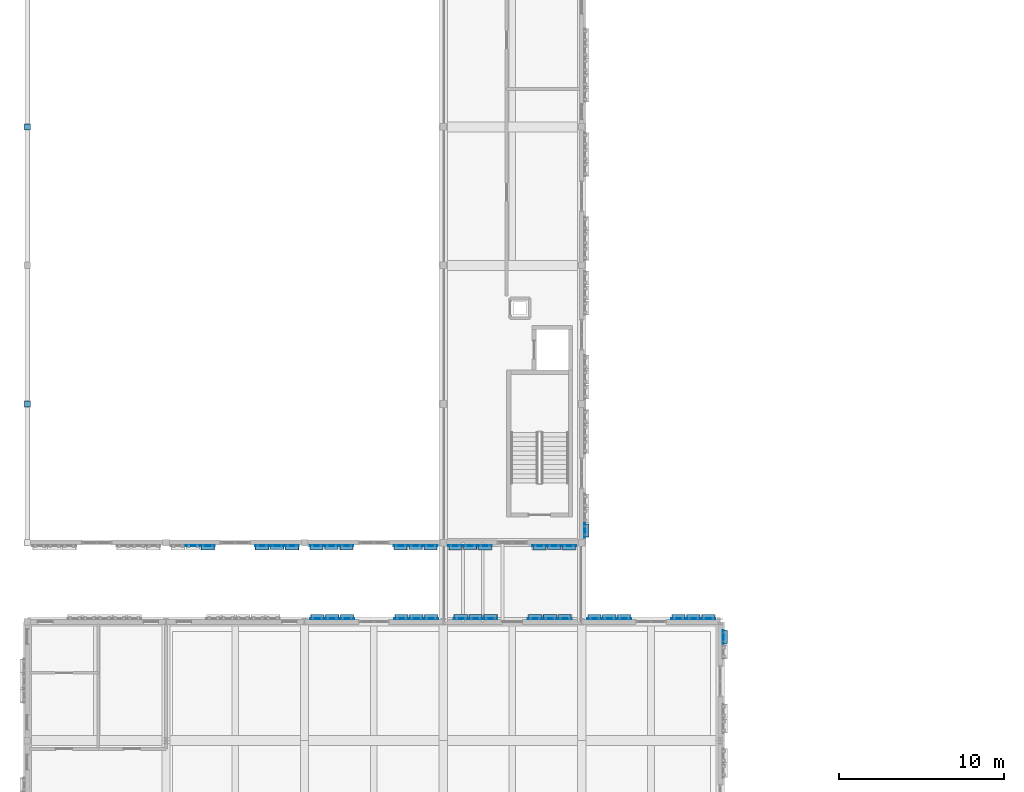
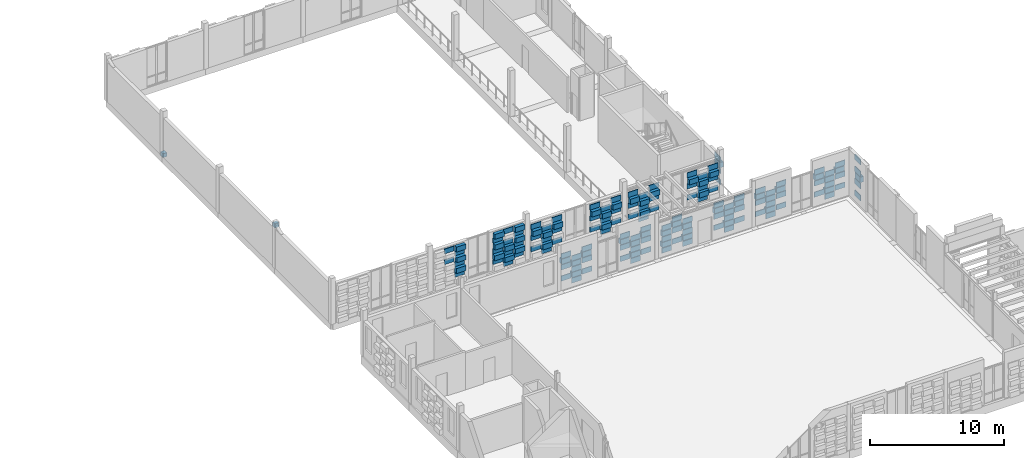
# One storey, part 58 of 99: 168 plates.
"""IFC4 building model written with IfcOpenShell, lengths in metres."""

from ifc_helpers import new_model, si_unit, direction, frame, origin, origin_2d, place, context, subcontext, project, spatial, rectangle, extrude, material, layer, layer_set, type_object, element, save


model = new_model("IFC4")

# Units and contexts
model_context = context("Model", 3, precision=1e-05, world=origin(), true_north=direction((0.0, 1.0)))
body_context = subcontext(model_context, "Body", "Model", "MODEL_VIEW")
ifc_project = project(units=[si_unit("LENGTHUNIT", "METRE"), si_unit("AREAUNIT", "SQUARE_METRE"), si_unit("VOLUMEUNIT", "CUBIC_METRE"), si_unit("PLANEANGLEUNIT", "RADIAN"), si_unit("MASSUNIT", "GRAM", prefix="KILO")], contexts=[model_context])

# Site, building, storey
site_placement = place(None, origin())
site = spatial("IfcSite", under=ifc_project, at=site_placement, CompositionType="ELEMENT")
building_placement = place(site_placement, origin())
building = spatial("IfcBuilding", under=site, at=building_placement, Name="Kahlenmark Community Centre", CompositionType="ELEMENT")
storey_placement = place(building_placement, frame((0.0, 0.0, 5.39990234375)))
storey = spatial("IfcBuildingStorey", under=building, at=storey_placement, Name="L01", CompositionType="ELEMENT", Elevation=5.39990234375)

# Plates
ifc_material_1 = material(Name="Extruded warm terracotta recessed weave tile", Category="masonry")
ifc_layer_1 = layer(ifc_material_1, 0.06005859375)
ifc_layer_set_1 = layer_set([ifc_layer_1], Name="Extruded warm terracotta recessed weave tile")
plate_type_1 = type_object("IfcPlateType", Name="PLT-TC-TC-R10-840X60X450", PredefinedType="SHEET", material=ifc_layer_set_1)
for number, where, z_axis, x_axis, name in (
    (1, (14.030029296875, 42.219970703125, 2.06005859375), (0.0, 0.0, 1.0), (1.0, 0.0, 0.0), "Basketweave terracotta cassette 0538"),
    (2, (14.030029296875, 42.219970703125, 3.0400390625), (0.0, 0.0, 1.0), (1.0, 0.0, 0.0), "Basketweave terracotta cassette 0540"),
    (3, (19.1298828125, 42.219970703125, 0.10009765625), (0.0, 0.0, 1.0), (1.0, 0.0, 0.0), "Basketweave terracotta cassette 0555"),
    (4, (19.1298828125, 42.219970703125, 1.080078125), (0.0, 0.0, 1.0), (1.0, 0.0, 0.0), "Basketweave terracotta cassette 0557"),
    (5, (19.1298828125, 42.219970703125, 2.06005859375), (0.0, 0.0, 1.0), (1.0, 0.0, 0.0), "Basketweave terracotta cassette 0559"),
    (6, (19.1298828125, 42.219970703125, 3.0400390625), (0.0, 0.0, 1.0), (1.0, 0.0, 0.0), "Basketweave terracotta cassette 0561"),
):
    element("IfcPlate", number, at=place(storey_placement, frame(where, z_axis=z_axis, x_axis=x_axis)), inside=storey, type_object=plate_type_1, Name=name, PredefinedType="SHEET", context=body_context, shape_type="SweptSolid", body=[
        extrude(rectangle(XDim=0.840087890625, YDim=0.06005859375, at=origin_2d()), origin(), (0.0, 0.0, 1.0), 0.449951171875),
    ])
ifc_layer_2 = layer(ifc_material_1, 0.06005859375)
ifc_layer_set_2 = layer_set([ifc_layer_2], Name="Extruded warm terracotta recessed weave tile")
plate_type_2 = type_object("IfcPlateType", Name="PLT-TC-TC-R10-840X60X468", PredefinedType="SHEET", material=ifc_layer_set_2)
for number, where, z_axis, x_axis, name in (
    (7, (27.570068359375, 37.780029296875, 0.10009765625), (0.0, 0.0, 1.0), (-1.0, 0.0, 0.0), "Basketweave terracotta cassette 0247"),
    (8, (27.570068359375, 37.780029296875, 1.1162109375), (0.0, 0.0, 1.0), (-1.0, 0.0, 0.0), "Basketweave terracotta cassette 0249"),
    (9, (27.570068359375, 37.780029296875, 2.13232421875), (0.0, 0.0, 1.0), (-1.0, 0.0, 0.0), "Basketweave terracotta cassette 0251"),
    (10, (22.469970703125, 37.780029296875, 0.10009765625), (0.0, 0.0, 1.0), (-1.0, 0.0, 0.0), "Basketweave terracotta cassette 0265"),
    (11, (22.469970703125, 37.780029296875, 1.1162109375), (0.0, 0.0, 1.0), (-1.0, 0.0, 0.0), "Basketweave terracotta cassette 0267"),
    (12, (22.469970703125, 37.780029296875, 2.13232421875), (0.0, 0.0, 1.0), (-1.0, 0.0, 0.0), "Basketweave terracotta cassette 0269"),
    (13, (35.669921875, 37.780029296875, 0.10009765625), (0.0, 0.0, 1.0), (-1.0, 0.0, 0.0), "Basketweave terracotta cassette 0283"),
    (14, (35.669921875, 37.780029296875, 1.1162109375), (0.0, 0.0, 1.0), (-1.0, 0.0, 0.0), "Basketweave terracotta cassette 0285"),
    (15, (35.669921875, 37.780029296875, 2.13232421875), (0.0, 0.0, 1.0), (-1.0, 0.0, 0.0), "Basketweave terracotta cassette 0287"),
    (16, (32.070068359375, 37.780029296875, 0.10009765625), (0.0, 0.0, 1.0), (-1.0, 0.0, 0.0), "Basketweave terracotta cassette 0295"),
    (17, (32.070068359375, 37.780029296875, 1.1162109375), (0.0, 0.0, 1.0), (-1.0, 0.0, 0.0), "Basketweave terracotta cassette 0297"),
    (18, (32.070068359375, 37.780029296875, 2.13232421875), (0.0, 0.0, 1.0), (-1.0, 0.0, 0.0), "Basketweave terracotta cassette 0299"),
    (19, (30.27001953125, 37.780029296875, 0.10009765625), (0.0, 0.0, 1.0), (-1.0, 0.0, 0.0), "Basketweave terracotta cassette 0307"),
    (20, (30.27001953125, 37.780029296875, 1.1162109375), (0.0, 0.0, 1.0), (-1.0, 0.0, 0.0), "Basketweave terracotta cassette 0309"),
    (21, (30.27001953125, 37.780029296875, 2.13232421875), (0.0, 0.0, 1.0), (-1.0, 0.0, 0.0), "Basketweave terracotta cassette 0311"),
    (22, (44.3701171875, 37.780029296875, 0.10009765625), (0.0, 0.0, 1.0), (-1.0, 0.0, 0.0), "Basketweave terracotta cassette 0319"),
    (23, (44.3701171875, 37.780029296875, 1.1162109375), (0.0, 0.0, 1.0), (-1.0, 0.0, 0.0), "Basketweave terracotta cassette 0321"),
    (24, (44.3701171875, 37.780029296875, 2.13232421875), (0.0, 0.0, 1.0), (-1.0, 0.0, 0.0), "Basketweave terracotta cassette 0323"),
    (25, (39.27001953125, 37.780029296875, 0.10009765625), (0.0, 0.0, 1.0), (-1.0, 0.0, 0.0), "Basketweave terracotta cassette 0337"),
    (26, (39.27001953125, 37.780029296875, 1.1162109375), (0.0, 0.0, 1.0), (-1.0, 0.0, 0.0), "Basketweave terracotta cassette 0339"),
    (27, (39.27001953125, 37.780029296875, 2.13232421875), (0.0, 0.0, 1.0), (-1.0, 0.0, 0.0), "Basketweave terracotta cassette 0341"),
    (28, (22.429931640625, 42.219970703125, 0.10009765625), (0.0, 0.0, 1.0), (1.0, 0.0, 0.0), "Basketweave terracotta cassette 0575"),
    (29, (22.429931640625, 42.219970703125, 1.1162109375), (0.0, 0.0, 1.0), (1.0, 0.0, 0.0), "Basketweave terracotta cassette 0577"),
    (30, (22.429931640625, 42.219970703125, 2.13232421875), (0.0, 0.0, 1.0), (1.0, 0.0, 0.0), "Basketweave terracotta cassette 0579"),
    (31, (27.530029296875, 42.219970703125, 0.10009765625), (0.0, 0.0, 1.0), (1.0, 0.0, 0.0), "Basketweave terracotta cassette 0593"),
    (32, (27.530029296875, 42.219970703125, 1.1162109375), (0.0, 0.0, 1.0), (1.0, 0.0, 0.0), "Basketweave terracotta cassette 0595"),
    (33, (27.530029296875, 42.219970703125, 2.13232421875), (0.0, 0.0, 1.0), (1.0, 0.0, 0.0), "Basketweave terracotta cassette 0597"),
    (34, (30.830078125, 42.219970703125, 0.10009765625), (0.0, 0.0, 1.0), (1.0, 0.0, 0.0), "Basketweave terracotta cassette 0611"),
    (35, (30.830078125, 42.219970703125, 1.1162109375), (0.0, 0.0, 1.0), (1.0, 0.0, 0.0), "Basketweave terracotta cassette 0613"),
    (36, (30.830078125, 42.219970703125, 2.13232421875), (0.0, 0.0, 1.0), (1.0, 0.0, 0.0), "Basketweave terracotta cassette 0615"),
    (37, (35.929931640625, 42.219970703125, 0.10009765625), (0.0, 0.0, 1.0), (1.0, 0.0, 0.0), "Basketweave terracotta cassette 0629"),
    (38, (35.929931640625, 42.219970703125, 1.1162109375), (0.0, 0.0, 1.0), (1.0, 0.0, 0.0), "Basketweave terracotta cassette 0631"),
    (39, (35.929931640625, 42.219970703125, 2.13232421875), (0.0, 0.0, 1.0), (1.0, 0.0, 0.0), "Basketweave terracotta cassette 0633"),
):
    element("IfcPlate", number, at=place(storey_placement, frame(where, z_axis=z_axis, x_axis=x_axis)), inside=storey, type_object=plate_type_2, Name=name, PredefinedType="SHEET", context=body_context, shape_type="SweptSolid", body=[
        extrude(rectangle(XDim=0.840087890625, YDim=0.06005859375, at=origin_2d()), origin(), (0.0, 0.0, 1.0), 0.468017578125),
    ])
ifc_layer_3 = layer(ifc_material_1, 0.06005859375)
ifc_layer_set_3 = layer_set([ifc_layer_3], Name="Extruded warm terracotta recessed weave tile")
plate_type_3 = type_object("IfcPlateType", Name="PLT-TC-TC-R10-840X60X506", PredefinedType="SHEET", material=ifc_layer_set_3)
for number, where, z_axis, x_axis, name in (
    (40, (46.179931640625, 36.679931640625, 0.10009765625), (0.0, 0.0, 1.0), (0.0, 1.0, 0.0), "Basketweave terracotta cassette 0478"),
    (41, (46.179931640625, 36.679931640625, 1.19189453125), (0.0, 0.0, 1.0), (0.0, 1.0, 0.0), "Basketweave terracotta cassette 0480"),
    (42, (46.179931640625, 36.679931640625, 2.2841796875), (0.0, 0.0, 1.0), (0.0, 1.0, 0.0), "Basketweave terracotta cassette 0482"),
    (43, (46.179931640625, 36.679931640625, 3.3759765625), (0.0, 0.0, 1.0), (0.0, 1.0, 0.0), "Basketweave terracotta cassette 0484"),
):
    element("IfcPlate", number, at=place(storey_placement, frame(where, z_axis=z_axis, x_axis=x_axis)), inside=storey, type_object=plate_type_3, Name=name, PredefinedType="SHEET", context=body_context, shape_type="SweptSolid", body=[
        extrude(rectangle(XDim=0.840087890625, YDim=0.06005859375, at=origin_2d()), origin(), (0.0, 0.0, 1.0), 0.506103515625),
    ])
ifc_layer_4 = layer(ifc_material_1, 0.06005859375)
ifc_layer_set_4 = layer_set([ifc_layer_4], Name="Extruded warm terracotta recessed weave tile")
plate_type_4 = type_object("IfcPlateType", Name="PLT-TC-TC-R10-860X60X450", PredefinedType="SHEET", material=ifc_layer_set_4)
for number, where, z_axis, x_axis, name in (
    (44, (14.929931640625, 42.219970703125, 0.59033203125), (0.0, 0.0, 1.0), (1.0, 0.0, 0.0), "Basketweave terracotta cassette 0542"),
    (45, (14.929931640625, 42.219970703125, 1.5703125), (0.0, 0.0, 1.0), (1.0, 0.0, 0.0), "Basketweave terracotta cassette 0544"),
    (46, (14.929931640625, 42.219970703125, 2.55029296875), (0.0, 0.0, 1.0), (1.0, 0.0, 0.0), "Basketweave terracotta cassette 0546"),
    (47, (18.22998046875, 42.219970703125, 0.59033203125), (0.0, 0.0, 1.0), (1.0, 0.0, 0.0), "Basketweave terracotta cassette 0549"),
    (48, (18.22998046875, 42.219970703125, 1.5703125), (0.0, 0.0, 1.0), (1.0, 0.0, 0.0), "Basketweave terracotta cassette 0551"),
    (49, (18.22998046875, 42.219970703125, 2.55029296875), (0.0, 0.0, 1.0), (1.0, 0.0, 0.0), "Basketweave terracotta cassette 0553"),
    (50, (20.030029296875, 42.219970703125, 0.59033203125), (0.0, 0.0, 1.0), (1.0, 0.0, 0.0), "Basketweave terracotta cassette 0563"),
    (51, (20.030029296875, 42.219970703125, 1.5703125), (0.0, 0.0, 1.0), (1.0, 0.0, 0.0), "Basketweave terracotta cassette 0565"),
    (52, (20.030029296875, 42.219970703125, 2.55029296875), (0.0, 0.0, 1.0), (1.0, 0.0, 0.0), "Basketweave terracotta cassette 0567"),
):
    element("IfcPlate", number, at=place(storey_placement, frame(where, z_axis=z_axis, x_axis=x_axis)), inside=storey, type_object=plate_type_4, Name=name, PredefinedType="SHEET", context=body_context, shape_type="SweptSolid", body=[
        extrude(rectangle(XDim=0.860107421875, YDim=0.06005859375, at=origin_2d()), origin(), (0.0, 0.0, 1.0), 0.449951171875),
    ])
ifc_layer_5 = layer(ifc_material_1, 0.06005859375)
ifc_layer_set_5 = layer_set([ifc_layer_5], Name="Extruded warm terracotta recessed weave tile")
plate_type_5 = type_object("IfcPlateType", Name="PLT-TC-TC-R10-860X60X468", PredefinedType="SHEET", material=ifc_layer_set_5)
for number, where, z_axis, x_axis, name in (
    (53, (28.469970703125, 37.780029296875, 0.60791015625), (0.0, 0.0, 1.0), (-1.0, 0.0, 0.0), "Basketweave terracotta cassette 0242"),
    (54, (28.469970703125, 37.780029296875, 1.6240234375), (0.0, 0.0, 1.0), (-1.0, 0.0, 0.0), "Basketweave terracotta cassette 0244"),
    (55, (28.469970703125, 37.780029296875, 2.64013671875), (0.0, 0.0, 1.0), (-1.0, 0.0, 0.0), "Basketweave terracotta cassette 0246"),
    (56, (26.669921875, 37.780029296875, 0.60791015625), (0.0, 0.0, 1.0), (-1.0, 0.0, 0.0), "Basketweave terracotta cassette 0254"),
    (57, (26.669921875, 37.780029296875, 1.6240234375), (0.0, 0.0, 1.0), (-1.0, 0.0, 0.0), "Basketweave terracotta cassette 0256"),
    (58, (26.669921875, 37.780029296875, 2.64013671875), (0.0, 0.0, 1.0), (-1.0, 0.0, 0.0), "Basketweave terracotta cassette 0258"),
    (59, (23.3701171875, 37.780029296875, 0.60791015625), (0.0, 0.0, 1.0), (-1.0, 0.0, 0.0), "Basketweave terracotta cassette 0260"),
    (60, (23.3701171875, 37.780029296875, 1.6240234375), (0.0, 0.0, 1.0), (-1.0, 0.0, 0.0), "Basketweave terracotta cassette 0262"),
    (61, (23.3701171875, 37.780029296875, 2.64013671875), (0.0, 0.0, 1.0), (-1.0, 0.0, 0.0), "Basketweave terracotta cassette 0264"),
    (62, (21.570068359375, 37.780029296875, 0.60791015625), (0.0, 0.0, 1.0), (-1.0, 0.0, 0.0), "Basketweave terracotta cassette 0272"),
    (63, (21.570068359375, 37.780029296875, 1.6240234375), (0.0, 0.0, 1.0), (-1.0, 0.0, 0.0), "Basketweave terracotta cassette 0274"),
    (64, (21.570068359375, 37.780029296875, 2.64013671875), (0.0, 0.0, 1.0), (-1.0, 0.0, 0.0), "Basketweave terracotta cassette 0276"),
    (65, (36.570068359375, 37.780029296875, 0.60791015625), (0.0, 0.0, 1.0), (-1.0, 0.0, 0.0), "Basketweave terracotta cassette 0278"),
    (66, (36.570068359375, 37.780029296875, 1.6240234375), (0.0, 0.0, 1.0), (-1.0, 0.0, 0.0), "Basketweave terracotta cassette 0280"),
    (67, (36.570068359375, 37.780029296875, 2.64013671875), (0.0, 0.0, 1.0), (-1.0, 0.0, 0.0), "Basketweave terracotta cassette 0282"),
    (68, (34.77001953125, 37.780029296875, 0.60791015625), (0.0, 0.0, 1.0), (-1.0, 0.0, 0.0), "Basketweave terracotta cassette 0290"),
    (69, (34.77001953125, 37.780029296875, 1.6240234375), (0.0, 0.0, 1.0), (-1.0, 0.0, 0.0), "Basketweave terracotta cassette 0292"),
    (70, (34.77001953125, 37.780029296875, 2.64013671875), (0.0, 0.0, 1.0), (-1.0, 0.0, 0.0), "Basketweave terracotta cassette 0294"),
    (71, (31.169921875, 37.780029296875, 0.60791015625), (0.0, 0.0, 1.0), (-1.0, 0.0, 0.0), "Basketweave terracotta cassette 0302"),
    (72, (31.169921875, 37.780029296875, 1.6240234375), (0.0, 0.0, 1.0), (-1.0, 0.0, 0.0), "Basketweave terracotta cassette 0304"),
    (73, (31.169921875, 37.780029296875, 2.64013671875), (0.0, 0.0, 1.0), (-1.0, 0.0, 0.0), "Basketweave terracotta cassette 0306"),
    (74, (45.27001953125, 37.780029296875, 0.60791015625), (0.0, 0.0, 1.0), (-1.0, 0.0, 0.0), "Basketweave terracotta cassette 0314"),
    (75, (45.27001953125, 37.780029296875, 1.6240234375), (0.0, 0.0, 1.0), (-1.0, 0.0, 0.0), "Basketweave terracotta cassette 0316"),
    (76, (45.27001953125, 37.780029296875, 2.64013671875), (0.0, 0.0, 1.0), (-1.0, 0.0, 0.0), "Basketweave terracotta cassette 0318"),
    (77, (43.469970703125, 37.780029296875, 0.60791015625), (0.0, 0.0, 1.0), (-1.0, 0.0, 0.0), "Basketweave terracotta cassette 0326"),
    (78, (43.469970703125, 37.780029296875, 1.6240234375), (0.0, 0.0, 1.0), (-1.0, 0.0, 0.0), "Basketweave terracotta cassette 0328"),
    (79, (43.469970703125, 37.780029296875, 2.64013671875), (0.0, 0.0, 1.0), (-1.0, 0.0, 0.0), "Basketweave terracotta cassette 0330"),
    (80, (40.169921875, 37.780029296875, 0.60791015625), (0.0, 0.0, 1.0), (-1.0, 0.0, 0.0), "Basketweave terracotta cassette 0332"),
    (81, (40.169921875, 37.780029296875, 1.6240234375), (0.0, 0.0, 1.0), (-1.0, 0.0, 0.0), "Basketweave terracotta cassette 0334"),
    (82, (40.169921875, 37.780029296875, 2.64013671875), (0.0, 0.0, 1.0), (-1.0, 0.0, 0.0), "Basketweave terracotta cassette 0336"),
    (83, (38.3701171875, 37.780029296875, 0.60791015625), (0.0, 0.0, 1.0), (-1.0, 0.0, 0.0), "Basketweave terracotta cassette 0344"),
    (84, (38.3701171875, 37.780029296875, 1.6240234375), (0.0, 0.0, 1.0), (-1.0, 0.0, 0.0), "Basketweave terracotta cassette 0346"),
    (85, (38.3701171875, 37.780029296875, 2.64013671875), (0.0, 0.0, 1.0), (-1.0, 0.0, 0.0), "Basketweave terracotta cassette 0348"),
    (86, (21.530029296875, 42.219970703125, 0.60791015625), (0.0, 0.0, 1.0), (1.0, 0.0, 0.0), "Basketweave terracotta cassette 0570"),
    (87, (21.530029296875, 42.219970703125, 1.6240234375), (0.0, 0.0, 1.0), (1.0, 0.0, 0.0), "Basketweave terracotta cassette 0572"),
    (88, (21.530029296875, 42.219970703125, 2.64013671875), (0.0, 0.0, 1.0), (1.0, 0.0, 0.0), "Basketweave terracotta cassette 0574"),
    (89, (23.330078125, 42.219970703125, 0.60791015625), (0.0, 0.0, 1.0), (1.0, 0.0, 0.0), "Basketweave terracotta cassette 0582"),
    (90, (23.330078125, 42.219970703125, 1.6240234375), (0.0, 0.0, 1.0), (1.0, 0.0, 0.0), "Basketweave terracotta cassette 0584"),
    (91, (23.330078125, 42.219970703125, 2.64013671875), (0.0, 0.0, 1.0), (1.0, 0.0, 0.0), "Basketweave terracotta cassette 0586"),
    (92, (26.6298828125, 42.219970703125, 0.60791015625), (0.0, 0.0, 1.0), (1.0, 0.0, 0.0), "Basketweave terracotta cassette 0588"),
    (93, (26.6298828125, 42.219970703125, 1.6240234375), (0.0, 0.0, 1.0), (1.0, 0.0, 0.0), "Basketweave terracotta cassette 0590"),
    (94, (26.6298828125, 42.219970703125, 2.64013671875), (0.0, 0.0, 1.0), (1.0, 0.0, 0.0), "Basketweave terracotta cassette 0592"),
    (95, (28.429931640625, 42.219970703125, 0.60791015625), (0.0, 0.0, 1.0), (1.0, 0.0, 0.0), "Basketweave terracotta cassette 0600"),
    (96, (28.429931640625, 42.219970703125, 1.6240234375), (0.0, 0.0, 1.0), (1.0, 0.0, 0.0), "Basketweave terracotta cassette 0602"),
    (97, (28.429931640625, 42.219970703125, 2.64013671875), (0.0, 0.0, 1.0), (1.0, 0.0, 0.0), "Basketweave terracotta cassette 0604"),
    (98, (29.929931640625, 42.219970703125, 0.60791015625), (0.0, 0.0, 1.0), (1.0, 0.0, 0.0), "Basketweave terracotta cassette 0606"),
    (99, (29.929931640625, 42.219970703125, 1.6240234375), (0.0, 0.0, 1.0), (1.0, 0.0, 0.0), "Basketweave terracotta cassette 0608"),
    (100, (29.929931640625, 42.219970703125, 2.64013671875), (0.0, 0.0, 1.0), (1.0, 0.0, 0.0), "Basketweave terracotta cassette 0610"),
    (101, (31.72998046875, 42.219970703125, 0.60791015625), (0.0, 0.0, 1.0), (1.0, 0.0, 0.0), "Basketweave terracotta cassette 0618"),
    (102, (31.72998046875, 42.219970703125, 1.6240234375), (0.0, 0.0, 1.0), (1.0, 0.0, 0.0), "Basketweave terracotta cassette 0620"),
    (103, (31.72998046875, 42.219970703125, 2.64013671875), (0.0, 0.0, 1.0), (1.0, 0.0, 0.0), "Basketweave terracotta cassette 0622"),
    (104, (35.030029296875, 42.219970703125, 0.60791015625), (0.0, 0.0, 1.0), (1.0, 0.0, 0.0), "Basketweave terracotta cassette 0624"),
    (105, (35.030029296875, 42.219970703125, 1.6240234375), (0.0, 0.0, 1.0), (1.0, 0.0, 0.0), "Basketweave terracotta cassette 0626"),
    (106, (35.030029296875, 42.219970703125, 2.64013671875), (0.0, 0.0, 1.0), (1.0, 0.0, 0.0), "Basketweave terracotta cassette 0628"),
    (107, (36.830078125, 42.219970703125, 0.60791015625), (0.0, 0.0, 1.0), (1.0, 0.0, 0.0), "Basketweave terracotta cassette 0636"),
    (108, (36.830078125, 42.219970703125, 1.6240234375), (0.0, 0.0, 1.0), (1.0, 0.0, 0.0), "Basketweave terracotta cassette 0638"),
    (109, (36.830078125, 42.219970703125, 2.64013671875), (0.0, 0.0, 1.0), (1.0, 0.0, 0.0), "Basketweave terracotta cassette 0640"),
    (110, (37.780029296875, 43.1298828125, 0.60791015625), (0.0, 0.0, 1.0), (0.0, 1.0, 0.0), "Basketweave terracotta cassette 0798"),
    (111, (37.780029296875, 43.1298828125, 1.6240234375), (0.0, 0.0, 1.0), (0.0, 1.0, 0.0), "Basketweave terracotta cassette 0800"),
    (112, (37.780029296875, 43.1298828125, 2.64013671875), (0.0, 0.0, 1.0), (0.0, 1.0, 0.0), "Basketweave terracotta cassette 0802"),
):
    element("IfcPlate", number, at=place(storey_placement, frame(where, z_axis=z_axis, x_axis=x_axis)), inside=storey, type_object=plate_type_5, Name=name, PredefinedType="SHEET", context=body_context, shape_type="SweptSolid", body=[
        extrude(rectangle(XDim=0.860107421875, YDim=0.06005859375, at=origin_2d()), origin(), (0.0, 0.0, 1.0), 0.468017578125),
    ])
ifc_material_2 = material(Name="Extruded glazed terracotta weave cassette", Category="masonry")
ifc_layer_6 = layer(ifc_material_2, 0.300048828125)
ifc_layer_set_6 = layer_set([ifc_layer_6], Name="Extruded glazed terracotta weave cassette")
plate_type_6 = type_object("IfcPlateType", Name="PLT-TC-TC-R34-780X300X450", PredefinedType="SHEET", material=ifc_layer_set_6)
for number, where, z_axis, x_axis, name in (
    (113, (14.929931640625, 42.10009765625, 2.06005859375), (0.0, 0.0, 1.0), (1.0, 0.0, 0.0), "Basketweave terracotta cassette 0545"),
    (114, (18.22998046875, 42.10009765625, 2.06005859375), (0.0, 0.0, 1.0), (1.0, 0.0, 0.0), "Basketweave terracotta cassette 0552"),
    (115, (20.030029296875, 42.10009765625, 2.06005859375), (0.0, 0.0, 1.0), (1.0, 0.0, 0.0), "Basketweave terracotta cassette 0566"),
):
    element("IfcPlate", number, at=place(storey_placement, frame(where, z_axis=z_axis, x_axis=x_axis)), inside=storey, type_object=plate_type_6, Name=name, PredefinedType="SHEET", context=body_context, shape_type="SweptSolid", body=[
        extrude(rectangle(XDim=0.780029296875, YDim=0.300048828125, at=origin_2d()), origin(), (0.0, 0.0, 1.0), 0.449951171875),
    ])
ifc_layer_7 = layer(ifc_material_2, 0.300048828125)
ifc_layer_set_7 = layer_set([ifc_layer_7], Name="Extruded glazed terracotta weave cassette")
plate_type_7 = type_object("IfcPlateType", Name="PLT-TC-TC-R34-780X300X468", PredefinedType="SHEET", material=ifc_layer_set_7)
for number, where, z_axis, x_axis, name in (
    (116, (28.469970703125, 37.89990234375, 2.13232421875), (0.0, 0.0, 1.0), (-1.0, 0.0, 0.0), "Basketweave terracotta cassette 0245"),
    (117, (26.669921875, 37.89990234375, 2.13232421875), (0.0, 0.0, 1.0), (-1.0, 0.0, 0.0), "Basketweave terracotta cassette 0257"),
    (118, (23.3701171875, 37.89990234375, 2.13232421875), (0.0, 0.0, 1.0), (-1.0, 0.0, 0.0), "Basketweave terracotta cassette 0263"),
    (119, (21.570068359375, 37.89990234375, 2.13232421875), (0.0, 0.0, 1.0), (-1.0, 0.0, 0.0), "Basketweave terracotta cassette 0275"),
    (120, (36.570068359375, 37.89990234375, 2.13232421875), (0.0, 0.0, 1.0), (-1.0, 0.0, 0.0), "Basketweave terracotta cassette 0281"),
    (121, (34.77001953125, 37.89990234375, 2.13232421875), (0.0, 0.0, 1.0), (-1.0, 0.0, 0.0), "Basketweave terracotta cassette 0293"),
    (122, (31.169921875, 37.89990234375, 2.13232421875), (0.0, 0.0, 1.0), (-1.0, 0.0, 0.0), "Basketweave terracotta cassette 0305"),
    (123, (45.27001953125, 37.89990234375, 2.13232421875), (0.0, 0.0, 1.0), (-1.0, 0.0, 0.0), "Basketweave terracotta cassette 0317"),
    (124, (43.469970703125, 37.89990234375, 2.13232421875), (0.0, 0.0, 1.0), (-1.0, 0.0, 0.0), "Basketweave terracotta cassette 0329"),
    (125, (40.169921875, 37.89990234375, 2.13232421875), (0.0, 0.0, 1.0), (-1.0, 0.0, 0.0), "Basketweave terracotta cassette 0335"),
    (126, (38.3701171875, 37.89990234375, 2.13232421875), (0.0, 0.0, 1.0), (-1.0, 0.0, 0.0), "Basketweave terracotta cassette 0347"),
    (127, (21.530029296875, 42.10009765625, 2.13232421875), (0.0, 0.0, 1.0), (1.0, 0.0, 0.0), "Basketweave terracotta cassette 0573"),
    (128, (23.330078125, 42.10009765625, 2.13232421875), (0.0, 0.0, 1.0), (1.0, 0.0, 0.0), "Basketweave terracotta cassette 0585"),
    (129, (26.6298828125, 42.10009765625, 2.13232421875), (0.0, 0.0, 1.0), (1.0, 0.0, 0.0), "Basketweave terracotta cassette 0591"),
    (130, (28.429931640625, 42.10009765625, 2.13232421875), (0.0, 0.0, 1.0), (1.0, 0.0, 0.0), "Basketweave terracotta cassette 0603"),
    (131, (29.929931640625, 42.10009765625, 2.13232421875), (0.0, 0.0, 1.0), (1.0, 0.0, 0.0), "Basketweave terracotta cassette 0609"),
    (132, (31.72998046875, 42.10009765625, 2.13232421875), (0.0, 0.0, 1.0), (1.0, 0.0, 0.0), "Basketweave terracotta cassette 0621"),
    (133, (35.030029296875, 42.10009765625, 2.13232421875), (0.0, 0.0, 1.0), (1.0, 0.0, 0.0), "Basketweave terracotta cassette 0627"),
    (134, (36.830078125, 42.10009765625, 2.13232421875), (0.0, 0.0, 1.0), (1.0, 0.0, 0.0), "Basketweave terracotta cassette 0639"),
    (135, (37.89990234375, 43.1298828125, 2.13232421875), (0.0, 0.0, 1.0), (0.0, 1.0, 0.0), "Basketweave terracotta cassette 0801"),
):
    element("IfcPlate", number, at=place(storey_placement, frame(where, z_axis=z_axis, x_axis=x_axis)), inside=storey, type_object=plate_type_7, Name=name, PredefinedType="SHEET", context=body_context, shape_type="SweptSolid", body=[
        extrude(rectangle(XDim=0.780029296875, YDim=0.300048828125, at=origin_2d()), origin(), (0.0, 0.0, 1.0), 0.468017578125),
    ])
ifc_layer_8 = layer(ifc_material_2, 0.300048828125)
ifc_layer_set_8 = layer_set([ifc_layer_8], Name="Extruded glazed terracotta weave cassette")
plate_type_8 = type_object("IfcPlateType", Name="PLT-TC-TC-R34-820X300X450", PredefinedType="SHEET", material=ifc_layer_set_8)
for number, where, z_axis, x_axis, name in (
    (136, (14.929931640625, 42.10009765625, 3.0400390625), (0.0, 0.0, 1.0), (1.0, 0.0, 0.0), "Basketweave terracotta cassette 0547"),
    (137, (18.22998046875, 42.10009765625, 3.0400390625), (0.0, 0.0, 1.0), (1.0, 0.0, 0.0), "Basketweave terracotta cassette 0554"),
    (138, (20.030029296875, 42.10009765625, 3.0400390625), (0.0, 0.0, 1.0), (1.0, 0.0, 0.0), "Basketweave terracotta cassette 0568"),
):
    element("IfcPlate", number, at=place(storey_placement, frame(where, z_axis=z_axis, x_axis=x_axis)), inside=storey, type_object=plate_type_8, Name=name, PredefinedType="SHEET", context=body_context, shape_type="SweptSolid", body=[
        extrude(rectangle(XDim=0.820068359375, YDim=0.300048828125, at=origin_2d()), origin(), (0.0, 0.0, 1.0), 0.449951171875),
    ])
ifc_layer_9 = layer(ifc_material_2, 0.300048828125)
ifc_layer_set_9 = layer_set([ifc_layer_9], Name="Extruded glazed terracotta weave cassette")
plate_type_9 = type_object("IfcPlateType", Name="PLT-TC-TC-R34-840X300X450", PredefinedType="SHEET", material=ifc_layer_set_9)
for number, where, z_axis, x_axis, name in (
    (139, (14.929931640625, 42.10009765625, 1.080078125), (0.0, 0.0, 1.0), (1.0, 0.0, 0.0), "Basketweave terracotta cassette 0543"),
    (140, (18.22998046875, 42.10009765625, 1.080078125), (0.0, 0.0, 1.0), (1.0, 0.0, 0.0), "Basketweave terracotta cassette 0550"),
    (141, (20.030029296875, 42.10009765625, 1.080078125), (0.0, 0.0, 1.0), (1.0, 0.0, 0.0), "Basketweave terracotta cassette 0564"),
):
    element("IfcPlate", number, at=place(storey_placement, frame(where, z_axis=z_axis, x_axis=x_axis)), inside=storey, type_object=plate_type_9, Name=name, PredefinedType="SHEET", context=body_context, shape_type="SweptSolid", body=[
        extrude(rectangle(XDim=0.840087890625, YDim=0.300048828125, at=origin_2d()), origin(), (0.0, 0.0, 1.0), 0.449951171875),
    ])
ifc_layer_10 = layer(ifc_material_2, 0.280029296875)
ifc_layer_set_10 = layer_set([ifc_layer_10], Name="Extruded glazed terracotta weave cassette")
plate_type_10 = type_object("IfcPlateType", Name="PLT-TC-TC-W30-800X280X450", PredefinedType="SHEET", material=ifc_layer_set_10)
plate_1_placement = place(storey_placement, frame((19.1298828125, 42.110107421875, 1.5703125), z_axis=(0.0, 0.0, 1.0), x_axis=(1.0, 0.0, 0.0)))
element("IfcPlate", 142, at=plate_1_placement, inside=storey, type_object=plate_type_10, Name="Basketweave terracotta cassette 0558", PredefinedType="SHEET", context=body_context, shape_type="SweptSolid", body=[
    extrude(rectangle(XDim=0.800048828125, YDim=0.280029296875, at=origin_2d()), origin(), (0.0, 0.0, 1.0), 0.449951171875),
])
ifc_layer_11 = layer(ifc_material_2, 0.280029296875)
ifc_layer_set_11 = layer_set([ifc_layer_11], Name="Extruded glazed terracotta weave cassette")
plate_type_11 = type_object("IfcPlateType", Name="PLT-TC-TC-W30-800X280X468", PredefinedType="SHEET", material=ifc_layer_set_11)
for number, where, z_axis, x_axis, name in (
    (143, (27.570068359375, 37.889892578125, 1.6240234375), (0.0, 0.0, 1.0), (-1.0, 0.0, 0.0), "Basketweave terracotta cassette 0250"),
    (144, (22.469970703125, 37.889892578125, 1.6240234375), (0.0, 0.0, 1.0), (-1.0, 0.0, 0.0), "Basketweave terracotta cassette 0268"),
    (145, (35.669921875, 37.889892578125, 1.6240234375), (0.0, 0.0, 1.0), (-1.0, 0.0, 0.0), "Basketweave terracotta cassette 0286"),
    (146, (32.070068359375, 37.889892578125, 1.6240234375), (0.0, 0.0, 1.0), (-1.0, 0.0, 0.0), "Basketweave terracotta cassette 0298"),
    (147, (30.27001953125, 37.889892578125, 1.6240234375), (0.0, 0.0, 1.0), (-1.0, 0.0, 0.0), "Basketweave terracotta cassette 0310"),
    (148, (44.3701171875, 37.889892578125, 1.6240234375), (0.0, 0.0, 1.0), (-1.0, 0.0, 0.0), "Basketweave terracotta cassette 0322"),
    (149, (39.27001953125, 37.889892578125, 1.6240234375), (0.0, 0.0, 1.0), (-1.0, 0.0, 0.0), "Basketweave terracotta cassette 0340"),
    (150, (22.429931640625, 42.110107421875, 1.6240234375), (0.0, 0.0, 1.0), (1.0, 0.0, 0.0), "Basketweave terracotta cassette 0578"),
    (151, (27.530029296875, 42.110107421875, 1.6240234375), (0.0, 0.0, 1.0), (1.0, 0.0, 0.0), "Basketweave terracotta cassette 0596"),
    (152, (30.830078125, 42.110107421875, 1.6240234375), (0.0, 0.0, 1.0), (1.0, 0.0, 0.0), "Basketweave terracotta cassette 0614"),
    (153, (35.929931640625, 42.110107421875, 1.6240234375), (0.0, 0.0, 1.0), (1.0, 0.0, 0.0), "Basketweave terracotta cassette 0632"),
):
    element("IfcPlate", number, at=place(storey_placement, frame(where, z_axis=z_axis, x_axis=x_axis)), inside=storey, type_object=plate_type_11, Name=name, PredefinedType="SHEET", context=body_context, shape_type="SweptSolid", body=[
        extrude(rectangle(XDim=0.800048828125, YDim=0.280029296875, at=origin_2d()), origin(), (0.0, 0.0, 1.0), 0.468017578125),
    ])
ifc_layer_12 = layer(ifc_material_2, 0.280029296875)
ifc_layer_set_12 = layer_set([ifc_layer_12], Name="Extruded glazed terracotta weave cassette")
plate_type_12 = type_object("IfcPlateType", Name="PLT-TC-TC-W30-800X280X506", PredefinedType="SHEET", material=ifc_layer_set_12)
plate_2_placement = place(storey_placement, frame((46.2900390625, 36.679931640625, 1.73828125), z_axis=(0.0, 0.0, 1.0), x_axis=(0.0, 1.0, 0.0)))
element("IfcPlate", 154, at=plate_2_placement, inside=storey, type_object=plate_type_12, Name="Basketweave terracotta cassette 0481", PredefinedType="SHEET", context=body_context, shape_type="SweptSolid", body=[
    extrude(rectangle(XDim=0.800048828125, YDim=0.280029296875, at=origin_2d()), origin(), (0.0, 0.0, 1.0), 0.506103515625),
])
ifc_layer_13 = layer(ifc_material_2, 0.280029296875)
ifc_layer_set_13 = layer_set([ifc_layer_13], Name="Extruded glazed terracotta weave cassette")
plate_type_13 = type_object("IfcPlateType", Name="PLT-TC-TC-W30-820X280X450", PredefinedType="SHEET", material=ifc_layer_set_13)
plate_3_placement = place(storey_placement, frame((19.1298828125, 42.110107421875, 0.59033203125), z_axis=(0.0, 0.0, 1.0), x_axis=(1.0, 0.0, 0.0)))
element("IfcPlate", 155, at=plate_3_placement, inside=storey, type_object=plate_type_13, Name="Basketweave terracotta cassette 0556", PredefinedType="SHEET", context=body_context, shape_type="SweptSolid", body=[
    extrude(rectangle(XDim=0.820068359375, YDim=0.280029296875, at=origin_2d()), origin(), (0.0, 0.0, 1.0), 0.449951171875),
])
ifc_layer_14 = layer(ifc_material_2, 0.280029296875)
ifc_layer_set_14 = layer_set([ifc_layer_14], Name="Extruded glazed terracotta weave cassette")
plate_type_14 = type_object("IfcPlateType", Name="PLT-TC-TC-W30-820X280X468", PredefinedType="SHEET", material=ifc_layer_set_14)
for number, where, z_axis, x_axis, name in (
    (156, (27.570068359375, 37.889892578125, 0.60791015625), (0.0, 0.0, 1.0), (-1.0, 0.0, 0.0), "Basketweave terracotta cassette 0248"),
    (157, (22.469970703125, 37.889892578125, 0.60791015625), (0.0, 0.0, 1.0), (-1.0, 0.0, 0.0), "Basketweave terracotta cassette 0266"),
    (158, (35.669921875, 37.889892578125, 0.60791015625), (0.0, 0.0, 1.0), (-1.0, 0.0, 0.0), "Basketweave terracotta cassette 0284"),
    (159, (32.070068359375, 37.889892578125, 0.60791015625), (0.0, 0.0, 1.0), (-1.0, 0.0, 0.0), "Basketweave terracotta cassette 0296"),
    (160, (30.27001953125, 37.889892578125, 0.60791015625), (0.0, 0.0, 1.0), (-1.0, 0.0, 0.0), "Basketweave terracotta cassette 0308"),
    (161, (44.3701171875, 37.889892578125, 0.60791015625), (0.0, 0.0, 1.0), (-1.0, 0.0, 0.0), "Basketweave terracotta cassette 0320"),
    (162, (39.27001953125, 37.889892578125, 0.60791015625), (0.0, 0.0, 1.0), (-1.0, 0.0, 0.0), "Basketweave terracotta cassette 0338"),
    (163, (22.429931640625, 42.110107421875, 0.60791015625), (0.0, 0.0, 1.0), (1.0, 0.0, 0.0), "Basketweave terracotta cassette 0576"),
    (164, (27.530029296875, 42.110107421875, 0.60791015625), (0.0, 0.0, 1.0), (1.0, 0.0, 0.0), "Basketweave terracotta cassette 0594"),
    (165, (30.830078125, 42.110107421875, 0.60791015625), (0.0, 0.0, 1.0), (1.0, 0.0, 0.0), "Basketweave terracotta cassette 0612"),
    (166, (35.929931640625, 42.110107421875, 0.60791015625), (0.0, 0.0, 1.0), (1.0, 0.0, 0.0), "Basketweave terracotta cassette 0630"),
):
    element("IfcPlate", number, at=place(storey_placement, frame(where, z_axis=z_axis, x_axis=x_axis)), inside=storey, type_object=plate_type_14, Name=name, PredefinedType="SHEET", context=body_context, shape_type="SweptSolid", body=[
        extrude(rectangle(XDim=0.820068359375, YDim=0.280029296875, at=origin_2d()), origin(), (0.0, 0.0, 1.0), 0.468017578125),
    ])
ifc_material_3 = material(Name="Steel S355", Category="steel")
ifc_layer_15 = layer(ifc_material_3, 0.02392578125)
ifc_layer_set_15 = layer_set([ifc_layer_15], Name="Steel S355")
plate_type_15 = type_object("IfcPlateType", Name="PT-NODE-BN-01-35X35X35", PredefinedType="USERDEFINED", material=ifc_layer_set_15)
for number, where, z_axis, x_axis, name in (
    (167, (4.0, 50.800048828125, 3.72509765625), (0.0, 0.0, 1.0), (1.0, 0.0, 0.0), "Steel hollow-node cap plate 0338"),
    (168, (4.0, 67.60009765625, -0.02490234375), (0.0, 0.0, 1.0), (1.0, 0.0, 0.0), "Steel hollow-node cap plate 0339"),
):
    element("IfcPlate", number, at=place(storey_placement, frame(where, z_axis=z_axis, x_axis=x_axis)), inside=storey, type_object=plate_type_15, Name=name, ObjectType="STIFFENER_PLATE", PredefinedType="USERDEFINED", context=body_context, shape_type="SweptSolid", body=[
        extrude(rectangle(XDim=0.35009765625, YDim=0.35009765625, at=origin_2d()), origin(), (0.0, 0.0, 1.0), 0.35009765625),
    ])

save(model, "model.ifc")
